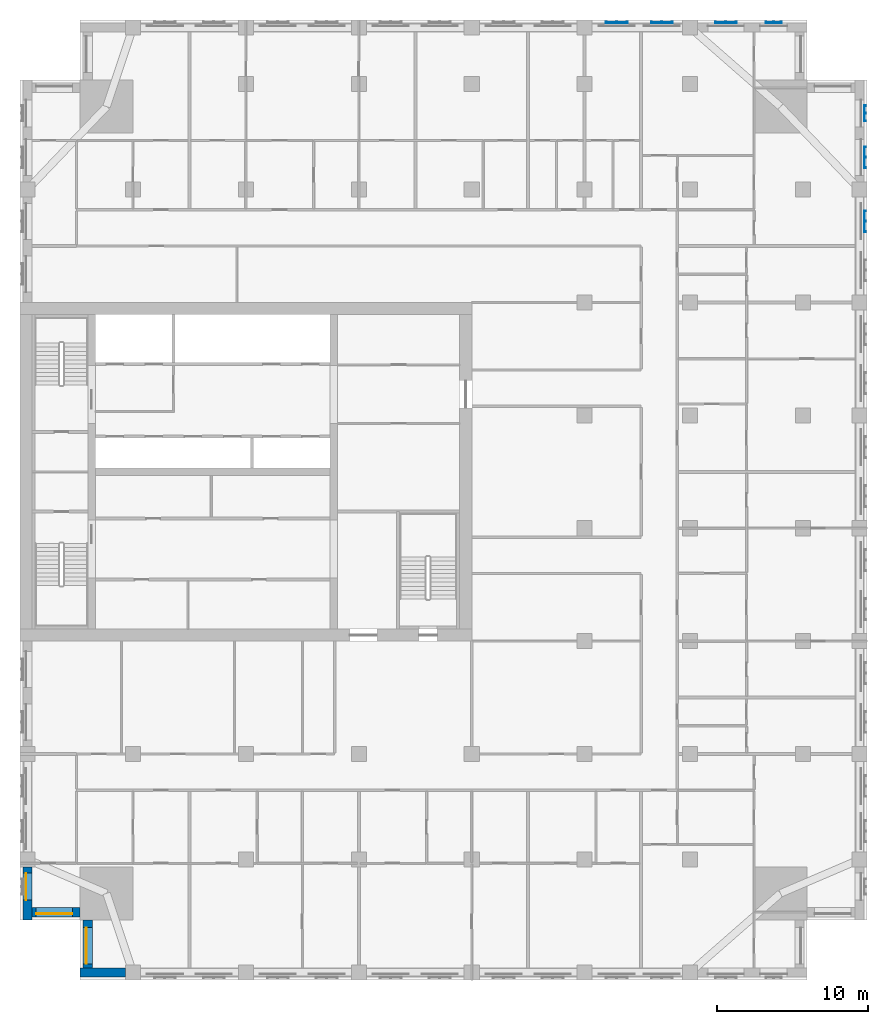
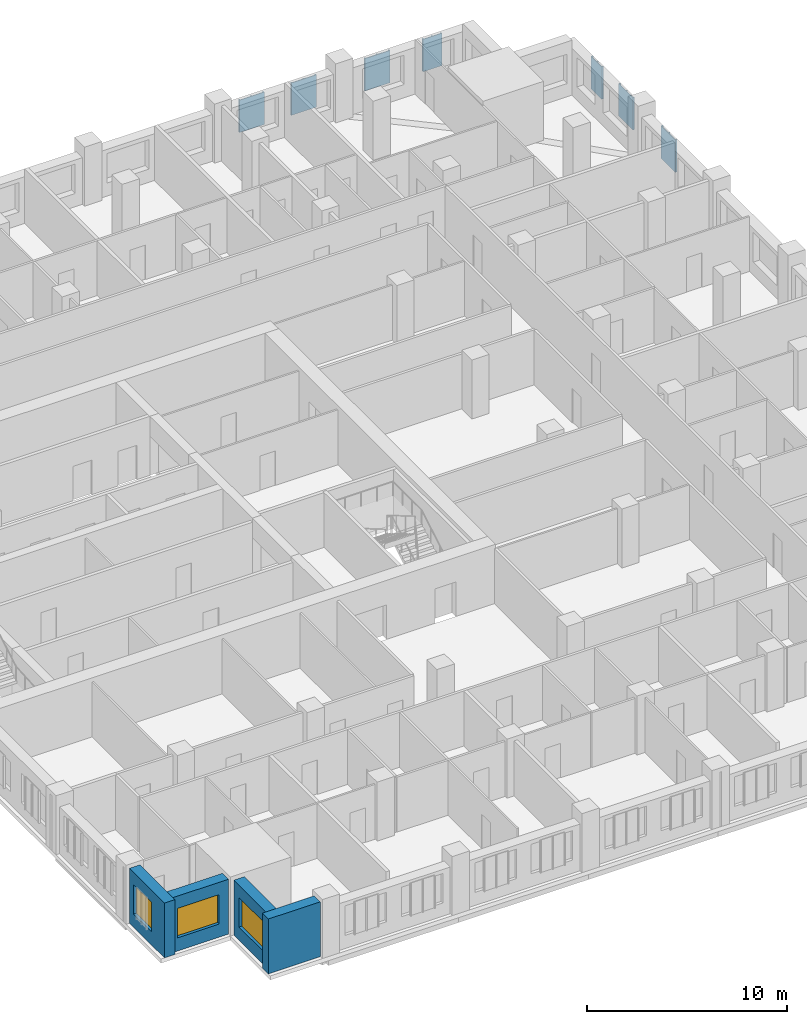
# One storey, part 3 of 14: 7 plates, 4 walls, 3 windows, 3 openings.
"""IFC4 building model written with IfcOpenShell, lengths in metres."""

from ifc_helpers import new_model, si_unit, direction, frame, frame_2d, origin, place, context, subcontext, project, spatial, polyline, rectangle, outline, extrude, material, layer, layer_set, type_object, element, fill, save


model = new_model("IFC4")

# Units and contexts
model_context = context("Model", 3, precision=1e-05, world=origin(), true_north=direction((0.0, 1.0)))
body_context = subcontext(model_context, "Body", "Model", "MODEL_VIEW")
ifc_project = project(units=[si_unit("LENGTHUNIT", "METRE"), si_unit("AREAUNIT", "SQUARE_METRE"), si_unit("VOLUMEUNIT", "CUBIC_METRE"), si_unit("PLANEANGLEUNIT", "RADIAN"), si_unit("MASSUNIT", "GRAM", prefix="KILO")], contexts=[model_context])

# Site, building, storey
site_placement = place(None, origin())
site = spatial("IfcSite", under=ifc_project, at=site_placement, CompositionType="ELEMENT")
building_placement = place(site_placement, origin())
building = spatial("IfcBuilding", under=site, at=building_placement, Name="Tamorin Gate", CompositionType="ELEMENT")
storey_placement = place(building_placement, frame((0.0, 0.0, 137.39990234375)))
storey = spatial("IfcBuildingStorey", under=building, at=storey_placement, Name="L33", CompositionType="ELEMENT", Elevation=137.39990234375)

# Plates
ifc_material_1 = material(Name="Perforated pale aluminium sheet", Category="aluminium")
ifc_layer_1 = layer(ifc_material_1, 0.0400390625)
ifc_layer_set_1 = layer_set([ifc_layer_1], Name="Pale metal solar screen 1080")
plate_type_1 = type_object("IfcPlateType", Name="Pale metal solar screen 1080", PredefinedType="SHEET", material=ifc_layer_set_1)
plate_1_placement = place(storey_placement, frame((0.0, 0.0, 0.710205078125)))
element("IfcPlate", 1, at=plate_1_placement, inside=storey, type_object=plate_type_1, Name="Perforated solar screen", PredefinedType="SHEET", context=body_context, shape_type="SweptSolid", body=[
    extrude(outline(polyline([(86.090087890625, 94.510009765625), (86.050048828125, 94.510009765625), (86.050048828125, 94.570068359375), (86.050048828125, 95.02001953125), (86.050048828125, 95.080078125), (86.050048828125, 95.530029296875), (86.050048828125, 95.590087890625), (86.090087890625, 95.590087890625), (86.14990234375, 95.590087890625), (86.14990234375, 95.530029296875), (86.090087890625, 95.530029296875), (86.090087890625, 95.080078125), (86.14990234375, 95.080078125), (86.14990234375, 95.02001953125), (86.090087890625, 95.02001953125), (86.090087890625, 94.570068359375), (86.14990234375, 94.570068359375), (86.14990234375, 94.510009765625), (86.090087890625, 94.510009765625)])), origin(), (0.0, 0.0, 1.0), 1.97998046875),
])
plate_2_placement = place(storey_placement, frame((0.0, 0.0, 0.710205078125)))
element("IfcPlate", 2, at=plate_2_placement, inside=storey, type_object=plate_type_1, Name="Perforated solar screen", PredefinedType="SHEET", context=body_context, shape_type="SweptSolid", body=[
    extrude(outline(polyline([(80.590087890625, 101.090087890625), (80.590087890625, 101.050048828125), (80.530029296875, 101.050048828125), (80.080078125, 101.050048828125), (80.02001953125, 101.050048828125), (79.570068359375, 101.050048828125), (79.510009765625, 101.050048828125), (79.510009765625, 101.090087890625), (79.510009765625, 101.14990234375), (79.570068359375, 101.14990234375), (79.570068359375, 101.090087890625), (80.02001953125, 101.090087890625), (80.02001953125, 101.14990234375), (80.080078125, 101.14990234375), (80.080078125, 101.090087890625), (80.530029296875, 101.090087890625), (80.530029296875, 101.14990234375), (80.590087890625, 101.14990234375), (80.590087890625, 101.090087890625)])), origin(), (0.0, 0.0, 1.0), 1.97998046875),
])
ifc_layer_2 = layer(ifc_material_1, 0.0400390625)
ifc_layer_set_2 = layer_set([ifc_layer_2], Name="Pale metal solar screen 1440")
plate_type_2 = type_object("IfcPlateType", Name="Pale metal solar screen 1440", PredefinedType="SHEET", material=ifc_layer_set_2)
plate_3_placement = place(storey_placement, frame((0.0, 0.0, 0.710205078125)))
element("IfcPlate", 3, at=plate_3_placement, inside=storey, type_object=plate_type_2, Name="Perforated solar screen", PredefinedType="SHEET", context=body_context, shape_type="SweptSolid", body=[
    extrude(outline(polyline([(86.090087890625, 87.155029296875), (86.050048828125, 87.155029296875), (86.050048828125, 87.215087890625), (86.050048828125, 87.844970703125), (86.050048828125, 87.905029296875), (86.050048828125, 88.534912109375), (86.050048828125, 88.594970703125), (86.090087890625, 88.594970703125), (86.14990234375, 88.594970703125), (86.14990234375, 88.534912109375), (86.090087890625, 88.534912109375), (86.090087890625, 87.905029296875), (86.14990234375, 87.905029296875), (86.14990234375, 87.844970703125), (86.090087890625, 87.844970703125), (86.090087890625, 87.215087890625), (86.14990234375, 87.215087890625), (86.14990234375, 87.155029296875), (86.090087890625, 87.155029296875)])), origin(), (0.0, 0.0, 1.0), 1.97998046875),
])
plate_4_placement = place(storey_placement, frame((0.0, 0.0, 0.710205078125)))
element("IfcPlate", 4, at=plate_4_placement, inside=storey, type_object=plate_type_2, Name="Perforated solar screen", PredefinedType="SHEET", context=body_context, shape_type="SweptSolid", body=[
    extrude(outline(polyline([(86.090087890625, 91.405029296875), (86.050048828125, 91.405029296875), (86.050048828125, 91.465087890625), (86.050048828125, 92.094970703125), (86.050048828125, 92.155029296875), (86.050048828125, 92.784912109375), (86.050048828125, 92.844970703125), (86.090087890625, 92.844970703125), (86.14990234375, 92.844970703125), (86.14990234375, 92.784912109375), (86.090087890625, 92.784912109375), (86.090087890625, 92.155029296875), (86.14990234375, 92.155029296875), (86.14990234375, 92.094970703125), (86.090087890625, 92.094970703125), (86.090087890625, 91.465087890625), (86.14990234375, 91.465087890625), (86.14990234375, 91.405029296875), (86.090087890625, 91.405029296875)])), origin(), (0.0, 0.0, 1.0), 1.97998046875),
])
plate_5_placement = place(storey_placement, frame((0.0, 0.0, 0.710205078125)))
element("IfcPlate", 5, at=plate_5_placement, inside=storey, type_object=plate_type_2, Name="Perforated solar screen", PredefinedType="SHEET", context=body_context, shape_type="SweptSolid", body=[
    extrude(outline(polyline([(77.594970703125, 101.090087890625), (77.594970703125, 101.050048828125), (77.534912109375, 101.050048828125), (76.905029296875, 101.050048828125), (76.844970703125, 101.050048828125), (76.215087890625, 101.050048828125), (76.155029296875, 101.050048828125), (76.155029296875, 101.050048828125), (76.155029296875, 101.090087890625), (76.155029296875, 101.090087890625), (76.155029296875, 101.14990234375), (76.215087890625, 101.14990234375), (76.215087890625, 101.090087890625), (76.844970703125, 101.090087890625), (76.844970703125, 101.14990234375), (76.905029296875, 101.14990234375), (76.905029296875, 101.090087890625), (77.534912109375, 101.090087890625), (77.534912109375, 101.14990234375), (77.594970703125, 101.14990234375), (77.594970703125, 101.090087890625)])), origin(), (0.0, 0.0, 1.0), 1.97998046875),
])
plate_6_placement = place(storey_placement, frame((0.0, 0.0, 0.710205078125)))
element("IfcPlate", 6, at=plate_6_placement, inside=storey, type_object=plate_type_2, Name="Perforated solar screen", PredefinedType="SHEET", context=body_context, shape_type="SweptSolid", body=[
    extrude(outline(polyline([(70.344970703125, 101.090087890625), (70.344970703125, 101.050048828125), (70.284912109375, 101.050048828125), (69.655029296875, 101.050048828125), (69.594970703125, 101.050048828125), (68.965087890625, 101.050048828125), (68.905029296875, 101.050048828125), (68.905029296875, 101.090087890625), (68.905029296875, 101.14990234375), (68.965087890625, 101.14990234375), (68.965087890625, 101.090087890625), (69.594970703125, 101.090087890625), (69.594970703125, 101.14990234375), (69.655029296875, 101.14990234375), (69.655029296875, 101.090087890625), (70.284912109375, 101.090087890625), (70.284912109375, 101.14990234375), (70.344970703125, 101.14990234375), (70.344970703125, 101.090087890625)])), origin(), (0.0, 0.0, 1.0), 1.97998046875),
])
plate_7_placement = place(storey_placement, frame((0.0, 0.0, 0.710205078125)))
element("IfcPlate", 7, at=plate_7_placement, inside=storey, type_object=plate_type_2, Name="Perforated solar screen", PredefinedType="SHEET", context=body_context, shape_type="SweptSolid", body=[
    extrude(outline(polyline([(73.344970703125, 101.090087890625), (73.344970703125, 101.050048828125), (73.284912109375, 101.050048828125), (72.655029296875, 101.050048828125), (72.594970703125, 101.050048828125), (71.965087890625, 101.050048828125), (71.905029296875, 101.050048828125), (71.905029296875, 101.090087890625), (71.905029296875, 101.14990234375), (71.965087890625, 101.14990234375), (71.965087890625, 101.090087890625), (72.594970703125, 101.090087890625), (72.594970703125, 101.14990234375), (72.655029296875, 101.14990234375), (72.655029296875, 101.090087890625), (73.284912109375, 101.090087890625), (73.284912109375, 101.14990234375), (73.344970703125, 101.14990234375), (73.344970703125, 101.090087890625)])), origin(), (0.0, 0.0, 1.0), 1.97998046875),
])

# Wall
ifc_material_2 = material(Name="Precast concrete C40/50", Category="concrete")
ifc_layer_3 = layer(ifc_material_2, 0.60009765625)
ifc_layer_set_3 = layer_set([ifc_layer_3], Name="Precast concrete C40/50")
wall_type = type_object("IfcWallType", Name="Board-marked concrete facade panel 600", PredefinedType="SOLIDWALL", material=ifc_layer_set_3)
wall_1_placement = place(storey_placement, frame((34.0, 38.0, 0.0), z_axis=(0.0, 0.0, 1.0), x_axis=(1.0, 0.0, 0.0)))
element("IfcWall", 8, at=wall_1_placement, inside=storey, type_object=wall_type, Name="Facade panel", PredefinedType="SOLIDWALL", context=body_context, shape_type="SweptSolid", body=[
    extrude(rectangle(XDim=3.0, YDim=0.60009765625, at=frame_2d((1.5, 0.0))), origin(), (0.0, 0.0, 1.0), 3.35009765625),
])

# Wall, opening, window
wall_2_placement = place(storey_placement, frame((30.5, 45.0, 0.0), z_axis=(0.0, 0.0, 1.0), x_axis=(0.0, -1.0, 0.0)))
wall_2 = element("IfcWall", 9, at=wall_2_placement, inside=storey, type_object=wall_type, Name="Facade panel", PredefinedType="SOLIDWALL", context=body_context, shape_type="SweptSolid", body=[
    extrude(rectangle(XDim=3.5, YDim=0.60009765625, at=frame_2d((1.75, 0.0))), origin(), (0.0, 0.0, 1.0), 3.35009765625),
])
opening_1_placement = place(wall_2_placement, frame((0.39990234375, 0.0, 0.800048828125)))
opening_1 = element("IfcOpeningElement", 10, at=opening_1_placement, cuts=wall_2, Name="Opening WN2", PredefinedType="OPENING", context=body_context, shape_type="SweptSolid", body=[
    extrude(rectangle(XDim=1.800048828125, YDim=1.800048828125, at=frame_2d((0.89990234375, 0.89990234375))), frame((0.0, 0.31005859375, 0.0), z_axis=(0.0, -1.0, 0.0), x_axis=(1.0, 0.0, 0.0)), (0.0, 0.0, 1.0), 0.6201171875),
])
ifc_material_3 = material(Name="Clear glass in aluminium frame", Category="aluminium")
window_type_1 = type_object("IfcWindowType", Name="Deep-set window 1800x1800", PartitioningType="SINGLE_PANEL", PredefinedType="WINDOW", material=ifc_material_3)
window_1_placement = place(opening_1_placement, origin())
window_1 = element("IfcWindow", 11, at=window_1_placement, inside=storey, type_object=window_type_1, Name="Deep-set window", OverallHeight=1.800048828125, OverallWidth=1.800048828125, PartitioningType="SINGLE_PANEL", PredefinedType="WINDOW", context=body_context, shape_type="SweptSolid", body=[
    extrude(rectangle(XDim=1.800048828125, YDim=1.800048828125, at=frame_2d((0.89990234375, 0.89990234375))), frame((0.0, -0.070068359375, 0.0), z_axis=(0.0, -1.0, 0.0), x_axis=(1.0, 0.0, 0.0)), (0.0, 0.0, 1.0), 0.06005859375),
])
fill(opening_1, window_1)

wall_3_placement = place(storey_placement, frame((30.800048828125, 42.0, 0.0), z_axis=(0.0, 0.0, 1.0), x_axis=(1.0, 0.0, 0.0)))
wall_3 = element("IfcWall", 12, at=wall_3_placement, inside=storey, type_object=wall_type, Name="Facade panel", PredefinedType="SOLIDWALL", context=body_context, shape_type="SweptSolid", body=[
    extrude(rectangle(XDim=3.199951171875, YDim=0.60009765625, at=frame_2d((1.60009765625, 0.0))), origin(), (0.0, 0.0, 1.0), 3.35009765625),
])
opening_2_placement = place(wall_3_placement, frame((0.27490234375, 0.0, 0.800048828125)))
opening_2 = element("IfcOpeningElement", 13, at=opening_2_placement, cuts=wall_3, Name="Opening WN1", PredefinedType="OPENING", context=body_context, shape_type="SweptSolid", body=[
    extrude(rectangle(XDim=2.39990234375, YDim=1.800048828125, at=frame_2d((1.199951171875, 0.89990234375))), frame((0.0, 0.31005859375, 0.0), z_axis=(0.0, -1.0, 0.0), x_axis=(1.0, 0.0, 0.0)), (0.0, 0.0, 1.0), 0.6201171875),
])
window_type_2 = type_object("IfcWindowType", Name="Deep-set window 2400x1800", PartitioningType="SINGLE_PANEL", PredefinedType="WINDOW", material=ifc_material_3)
window_2_placement = place(opening_2_placement, origin())
window_2 = element("IfcWindow", 14, at=window_2_placement, inside=storey, type_object=window_type_2, Name="Deep-set window", OverallHeight=1.800048828125, OverallWidth=2.39990234375, PartitioningType="SINGLE_PANEL", PredefinedType="WINDOW", context=body_context, shape_type="SweptSolid", body=[
    extrude(rectangle(XDim=2.39990234375, YDim=1.800048828125, at=frame_2d((1.199951171875, 0.89990234375))), frame((0.0, -0.070068359375, 0.0), z_axis=(0.0, -1.0, 0.0), x_axis=(1.0, 0.0, 0.0)), (0.0, 0.0, 1.0), 0.06005859375),
])
fill(opening_2, window_2)

wall_4_placement = place(storey_placement, frame((34.5, 41.5, 0.0), z_axis=(0.0, 0.0, 1.0), x_axis=(0.0, -1.0, 0.0)))
wall_4 = element("IfcWall", 15, at=wall_4_placement, inside=storey, type_object=wall_type, Name="Facade panel", PredefinedType="SOLIDWALL", context=body_context, shape_type="SweptSolid", body=[
    extrude(rectangle(XDim=3.199951171875, YDim=0.60009765625, at=frame_2d((1.60009765625, 0.0))), origin(), (0.0, 0.0, 1.0), 3.35009765625),
])
opening_3_placement = place(wall_4_placement, frame((0.52490234375, 0.0, 0.800048828125)))
opening_3 = element("IfcOpeningElement", 16, at=opening_3_placement, cuts=wall_4, Name="Opening WN1", PredefinedType="OPENING", context=body_context, shape_type="SweptSolid", body=[
    extrude(rectangle(XDim=2.39990234375, YDim=1.800048828125, at=frame_2d((1.199951171875, 0.89990234375))), frame((0.0, 0.31005859375, 0.0), z_axis=(0.0, -1.0, 0.0), x_axis=(1.0, 0.0, 0.0)), (0.0, 0.0, 1.0), 0.6201171875),
])
window_3_placement = place(opening_3_placement, origin())
window_3 = element("IfcWindow", 17, at=window_3_placement, inside=storey, type_object=window_type_2, Name="Deep-set window", OverallHeight=1.800048828125, OverallWidth=2.39990234375, PartitioningType="SINGLE_PANEL", PredefinedType="WINDOW", context=body_context, shape_type="SweptSolid", body=[
    extrude(rectangle(XDim=2.39990234375, YDim=1.800048828125, at=frame_2d((1.199951171875, 0.89990234375))), frame((0.0, -0.070068359375, 0.0), z_axis=(0.0, -1.0, 0.0), x_axis=(1.0, 0.0, 0.0)), (0.0, 0.0, 1.0), 0.06005859375),
])
fill(opening_3, window_3)

save(model, "model.ifc")
